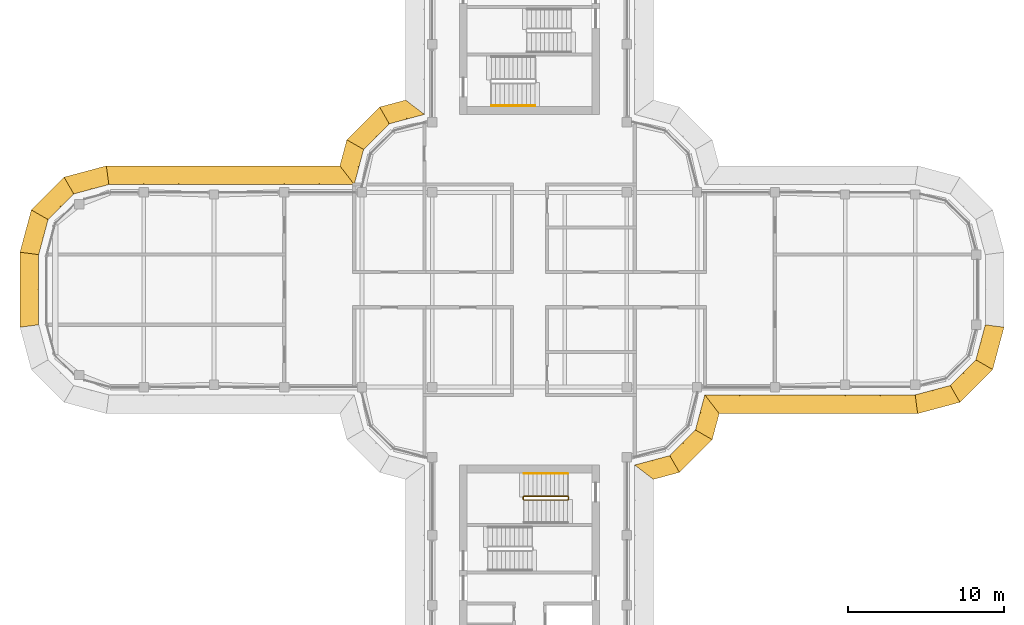
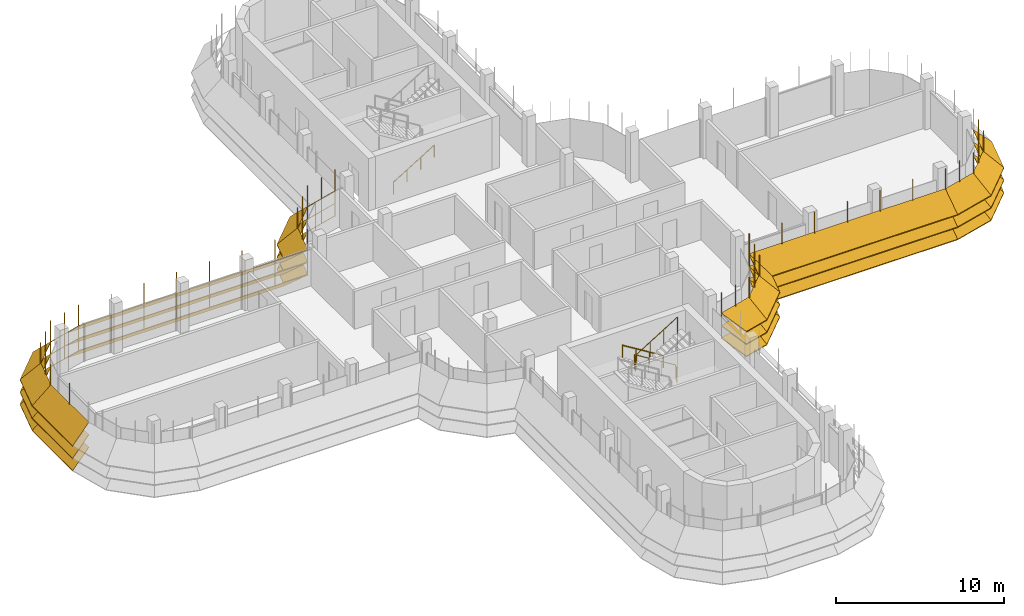
# One storey, part 17 of 19: 7 shading devices, 3 railings.
"""IFC4 building model written with IfcOpenShell, lengths in metres."""

from ifc_helpers import new_model, si_unit, direction, frame, origin, origin_2d, place, context, subcontext, project, spatial, polyline, circle, outline, extrude, faceted_brep, source, transform, mapped, material, type_object, element, save


model = new_model("IFC4")

# Units and contexts
model_context = context("Model", 3, precision=1e-05, world=origin(), true_north=direction((0.0, 1.0)))
body_context = subcontext(model_context, "Body", "Model", "MODEL_VIEW")
ifc_project = project(units=[si_unit("LENGTHUNIT", "METRE"), si_unit("AREAUNIT", "SQUARE_METRE"), si_unit("VOLUMEUNIT", "CUBIC_METRE"), si_unit("PLANEANGLEUNIT", "RADIAN"), si_unit("MASSUNIT", "GRAM", prefix="KILO")], contexts=[model_context])

# Site, building, storey
site_placement = place(None, origin())
site = spatial("IfcSite", under=ifc_project, at=site_placement, CompositionType="ELEMENT")
building_placement = place(site_placement, origin())
building = spatial("IfcBuilding", under=site, at=building_placement, Name="Zarbagh Exchange Tower", CompositionType="ELEMENT")
storey_placement = place(building_placement, frame((0.0, 0.0, 268.800048828125)))
storey = spatial("IfcBuildingStorey", under=building, at=storey_placement, Name="L66", CompositionType="ELEMENT", Elevation=268.800048828125)

# Railings
ifc_material_1 = material(Name="Stainless steel", Category="steel")
railing_type_1 = type_object("IfcRailingType", Name="Stair guard 1100 mm", PredefinedType="GUARDRAIL", material=ifc_material_1)
railing_1_placement = place(storey_placement, frame((-0.35009765625, -13.5, 2.07275390625)))
element("IfcRailing", 1, at=railing_1_placement, inside=storey, type_object=railing_type_1, Name="ST4 stair guard 1", PredefinedType="GUARDRAIL", context=body_context, shape_type="SweptSolid", body=[
    extrude(circle(Radius=0.02392578125, at=origin_2d()), frame((0.0, 0.0, 1.076171875), z_axis=(0.851089632645, 0.0, 0.525020415988), x_axis=(0.0, 1.0, 0.0)), (0.0, 0.0, 1.0), 3.2900390625),
    extrude(circle(Radius=0.02392578125, at=origin_2d()), frame((2.800048828125, 0.0, 2.80322265625), z_axis=(0.013168290981, 0.013168290981, -0.999826581076), x_axis=(-0.707106781187, 0.707106781187, 0.0)), (0.0, 0.0, 1.0), 3.80078125),
    extrude(circle(Radius=0.02392578125, at=origin_2d()), frame((2.85009765625, 0.050048828125, -0.99658203125), z_axis=(0.0, 1.0, 0.0), x_axis=(-1.0, 0.0, 0.0)), (0.0, 0.0, 1.0), 0.14990234375),
    extrude(circle(Radius=0.02392578125, at=origin_2d()), frame((2.85009765625, 0.199951171875, -0.99658203125), z_axis=(-0.268277960024, 0.268277960024, 0.925231793839), x_axis=(-0.707106781187, -0.707106781187, 0.0)), (0.0, 0.0, 1.0), 0.1865234375),
    extrude(circle(Radius=0.02392578125, at=origin_2d()), frame((2.800048828125, 0.25, -0.82421875), z_axis=(-0.851089632645, 0.0, 0.525020415988), x_axis=(0.0, -1.0, 0.0)), (0.0, 0.0, 1.0), 3.2900390625),
    extrude(circle(Radius=0.02392578125, at=origin_2d()), frame((0.0, 0.25, 0.9033203125), z_axis=(-0.705375805398, -0.708833529934, 0.0), x_axis=(0.708833529934, -0.705375805398, 0.0)), (0.0, 0.0, 1.0), 0.070556640625),
    extrude(circle(Radius=0.02392578125, at=origin_2d()), frame((-0.0498046875, 0.199951171875, 0.9033203125), z_axis=(0.0, -1.0, 0.0), x_axis=(1.0, 0.0, 0.0)), (0.0, 0.0, 1.0), 0.14990234375),
    extrude(circle(Radius=0.02099609375, at=origin_2d()), origin(), (0.0, 0.0, 1.0), 1.052001953125),
    extrude(circle(Radius=0.02099609375, at=origin_2d()), frame((0.933349609375, 0.0, 0.57568359375)), (0.0, 0.0, 1.0), 1.052001953125),
    extrude(circle(Radius=0.02099609375, at=origin_2d()), frame((1.86669921875, 0.0, 1.151611328125)), (0.0, 0.0, 1.0), 1.052001953125),
    extrude(circle(Radius=0.02099609375, at=origin_2d()), frame((2.800048828125, 0.0, 1.727294921875)), (0.0, 0.0, 1.0), 1.052001953125),
    extrude(circle(Radius=0.02099609375, at=origin_2d()), frame((2.8125, 0.012451171875, 0.77734375)), (0.0, 0.0, 1.0), 1.052001953125),
    extrude(circle(Radius=0.02099609375, at=origin_2d()), frame((2.8251953125, 0.02490234375, -0.1728515625)), (0.0, 0.0, 1.0), 1.052001953125),
    extrude(circle(Radius=0.02099609375, at=origin_2d()), frame((2.837646484375, 0.03759765625, -1.122802734375)), (0.0, 0.0, 1.0), 1.052001953125),
    extrude(circle(Radius=0.02099609375, at=origin_2d()), frame((2.85009765625, 0.050048828125, -2.07275390625)), (0.0, 0.0, 1.0), 1.052001953125),
    extrude(circle(Radius=0.02099609375, at=origin_2d()), frame((2.85009765625, 0.199951171875, -2.07275390625)), (0.0, 0.0, 1.0), 1.052001953125),
    extrude(circle(Radius=0.02099609375, at=origin_2d()), frame((2.800048828125, 0.25, -1.900146484375)), (0.0, 0.0, 1.0), 1.052001953125),
    extrude(circle(Radius=0.02099609375, at=origin_2d()), frame((1.86669921875, 0.25, -1.324462890625)), (0.0, 0.0, 1.0), 1.052001953125),
    extrude(circle(Radius=0.02099609375, at=origin_2d()), frame((0.933349609375, 0.25, -0.74853515625)), (0.0, 0.0, 1.0), 1.052001953125),
    extrude(circle(Radius=0.02099609375, at=origin_2d()), frame((0.0, 0.25, -0.1728515625)), (0.0, 0.0, 1.0), 1.052001953125),
    extrude(circle(Radius=0.02099609375, at=origin_2d()), frame((-0.0498046875, 0.199951171875, -0.1728515625)), (0.0, 0.0, 1.0), 1.052001953125),
    extrude(circle(Radius=0.02099609375, at=origin_2d()), frame((-0.0498046875, 0.050048828125, -0.1728515625)), (0.0, 0.0, 1.0), 1.052001953125),
])
railing_type_2 = type_object("IfcRailingType", Name="Stair handrail 900 mm", PredefinedType="HANDRAIL", material=ifc_material_1)
railing_2_placement = place(storey_placement, frame((-2.449951171875, 11.800048828125, 0.172607421875)))
element("IfcRailing", 2, at=railing_2_placement, inside=storey, type_object=railing_type_2, Name="ST2 stair handrail 1", PredefinedType="HANDRAIL", context=body_context, shape_type="SweptSolid", body=[
    extrude(circle(Radius=0.02392578125, at=origin_2d()), frame((0.0, 0.0, 0.8759765625), z_axis=(0.851089632645, 0.0, 0.525020415988), x_axis=(0.0, 1.0, 0.0)), (0.0, 0.0, 1.0), 3.2900390625),
    extrude(circle(Radius=0.02099609375, at=origin_2d()), origin(), (0.0, 0.0, 1.0), 0.851806640625),
    extrude(circle(Radius=0.02099609375, at=origin_2d()), frame((0.933349609375, 0.0, 0.57568359375)), (0.0, 0.0, 1.0), 0.851806640625),
    extrude(circle(Radius=0.02099609375, at=origin_2d()), frame((1.86669921875, 0.0, 1.151611328125)), (0.0, 0.0, 1.0), 0.851806640625),
    extrude(circle(Radius=0.02099609375, at=origin_2d()), frame((2.800048828125, 0.0, 1.727294921875)), (0.0, 0.0, 1.0), 0.851806640625),
])
railing_3_placement = place(storey_placement, frame((2.449951171875, -11.800048828125, 0.172607421875)))
element("IfcRailing", 3, at=railing_3_placement, inside=storey, type_object=railing_type_2, Name="ST4 stair handrail 1", PredefinedType="HANDRAIL", context=body_context, shape_type="SweptSolid", body=[
    extrude(circle(Radius=0.02392578125, at=origin_2d()), frame((0.0, 0.0, 0.8759765625), z_axis=(-0.851089632645, 0.0, 0.525020415988), x_axis=(0.0, -1.0, 0.0)), (0.0, 0.0, 1.0), 3.2900390625),
    extrude(circle(Radius=0.02099609375, at=origin_2d()), origin(), (0.0, 0.0, 1.0), 0.851806640625),
    extrude(circle(Radius=0.02099609375, at=origin_2d()), frame((-0.933349609375, 0.0, 0.57568359375)), (0.0, 0.0, 1.0), 0.851806640625),
    extrude(circle(Radius=0.02099609375, at=origin_2d()), frame((-1.86669921875, 0.0, 1.151611328125)), (0.0, 0.0, 1.0), 0.851806640625),
    extrude(circle(Radius=0.02099609375, at=origin_2d()), frame((-2.800048828125, 0.0, 1.727294921875)), (0.0, 0.0, 1.0), 0.851806640625),
])

# Shading devices
ifc_material_2 = material(Name="Anodised aluminium blades and brackets", Category="aluminium")
shading_device_type = type_object("IfcShadingDeviceType", Name="SUNSHADE louvre band, 45 degree blades", PredefinedType="JALOUSIE", material=ifc_material_2)
shared_shape_1 = source(origin(), body_context, "Body", "Brep", [
    faceted_brep([(0.0, 0.0, 0.0), (0.0, 0.0, -0.056640625), (-0.157958984375, -1.199951171875, -1.256591796875), (-0.157958984375, -1.199951171875, -1.199951171875), (2.65087890625, -1.199951171875, -1.199951171875), (2.65087890625, -1.199951171875, -1.256591796875), (2.329345703125, 0.0, -0.056640625), (2.329345703125, 0.0, 0.0)], [[[0, 1, 2, 3]], [[4, 5, 6, 7]], [[0, 7, 6, 1]], [[1, 6, 5, 2]], [[2, 5, 4, 3]], [[3, 4, 7, 0]]]),
])
shared_shape_2 = source(origin(), body_context, "Body", "Brep", [
    faceted_brep([(0.0, 0.0, 0.0), (0.0, 0.0, -0.056640625), (-0.321533203125, -1.199951171875, -1.256591796875), (-0.321533203125, -1.199951171875, -1.199951171875), (2.65087890625, -1.199951171875, -1.199951171875), (2.65087890625, -1.199951171875, -1.256591796875), (2.329345703125, 0.0, -0.056640625), (2.329345703125, 0.0, 0.0)], [[[0, 1, 2, 3]], [[4, 5, 6, 7]], [[0, 7, 6, 1]], [[1, 6, 5, 2]], [[2, 5, 4, 3]], [[3, 4, 7, 0]]]),
])
shared_shape_3 = source(origin(), body_context, "Body", "Brep", [
    faceted_brep([(0.0, 0.0, 0.0), (0.0, 0.0, -0.056640625), (-0.321533203125, -1.199951171875, -1.256591796875), (-0.321533203125, -1.199951171875, -1.199951171875), (2.4873046875, -1.199951171875, -1.199951171875), (2.4873046875, -1.199951171875, -1.256591796875), (2.329345703125, 0.0, -0.056640625), (2.329345703125, 0.0, 0.0)], [[[0, 1, 2, 3]], [[4, 5, 6, 7]], [[0, 7, 6, 1]], [[1, 6, 5, 2]], [[2, 5, 4, 3]], [[3, 4, 7, 0]]]),
])
shared_shape_4 = source(origin(), body_context, "Body", "SweptSolid", [
    extrude(outline(polyline([(0.0, -0.012451171875), (0.06005859375, -0.012451171875), (0.06005859375, 0.012451171875), (0.0, 0.012451171875), (0.0, -0.012451171875)])), origin(), (0.0, 0.0, 1.0), 3.366455078125),
])
placement = place(storey_placement, origin())
element("IfcShadingDevice", 4, at=placement, inside=storey, type_object=shading_device_type, Name="SS51 sunshade band", PredefinedType="JALOUSIE", context=body_context, shape_type="MappedRepresentation", body=[
    mapped(shared_shape_1, transform((24.75, -6.75, 2.300048828125), x_axis=(0.965924289636, 0.258824779902, 0.0), y_axis=(-0.258824779902, 0.965924289636, 0.0), z_axis=(0.0, 0.0, 1.0))),
    mapped(shared_shape_1, transform((24.75, -6.75, 1.39990234375), x_axis=(0.965924289636, 0.258824779902, 0.0), y_axis=(-0.258824779902, 0.965924289636, 0.0), z_axis=(0.0, 0.0, 1.0))),
    mapped(shared_shape_1, transform((24.75, -6.75, 0.5), x_axis=(0.965924289636, 0.258824779902, 0.0), y_axis=(-0.258824779902, 0.965924289636, 0.0), z_axis=(0.0, 0.0, 1.0))),
    mapped(shared_shape_2, transform((27.0, -6.147216796875, 2.300048828125), x_axis=(0.707106781187, 0.707106781187, 0.0), y_axis=(-0.707106781187, 0.707106781187, 0.0), z_axis=(0.0, 0.0, 1.0))),
    mapped(shared_shape_2, transform((27.0, -6.147216796875, 1.39990234375), x_axis=(0.707106781187, 0.707106781187, 0.0), y_axis=(-0.707106781187, 0.707106781187, 0.0), z_axis=(0.0, 0.0, 1.0))),
    mapped(shared_shape_2, transform((27.0, -6.147216796875, 0.5), x_axis=(0.707106781187, 0.707106781187, 0.0), y_axis=(-0.707106781187, 0.707106781187, 0.0), z_axis=(0.0, 0.0, 1.0))),
    mapped(shared_shape_3, transform((28.647216796875, -4.5, 2.300048828125), x_axis=(0.258824779902, 0.965924289636, 0.0), y_axis=(-0.965924289636, 0.258824779902, 0.0), z_axis=(0.0, 0.0, 1.0))),
    mapped(shared_shape_3, transform((28.647216796875, -4.5, 1.39990234375), x_axis=(0.258824779902, 0.965924289636, 0.0), y_axis=(-0.965924289636, 0.258824779902, 0.0), z_axis=(0.0, 0.0, 1.0))),
    mapped(shared_shape_3, transform((28.647216796875, -4.5, 0.5), x_axis=(0.258824779902, 0.965924289636, 0.0), y_axis=(-0.965924289636, 0.258824779902, 0.0), z_axis=(0.0, 0.0, 1.0))),
    mapped(shared_shape_4, transform((24.75, -6.75, 0.413330078125), x_axis=(0.130529263012, -0.991444457092, 0.0), y_axis=(0.991444457092, 0.130529263012, 0.0), z_axis=(0.0, 0.0, 1.0))),
    mapped(shared_shape_4, transform((25.875, -6.448486328125, 0.413330078125), x_axis=(0.258825058029, -0.96592421511, 0.0), y_axis=(0.96592421511, 0.258825058029, 0.0), z_axis=(0.0, 0.0, 1.0))),
    mapped(shared_shape_4, transform((27.0, -6.147216796875, 0.413330078125), x_axis=(0.50000275701, -0.866023812018, 0.0), y_axis=(0.866023812018, 0.50000275701, 0.0), z_axis=(0.0, 0.0, 1.0))),
    mapped(shared_shape_4, transform((27.823486328125, -5.323486328125, 0.413330078125), x_axis=(0.707106781187, -0.707106781187, 0.0), y_axis=(0.707106781187, 0.707106781187, 0.0), z_axis=(0.0, 0.0, 1.0))),
    mapped(shared_shape_4, transform((28.647216796875, -4.5, 0.413330078125), x_axis=(0.866023812018, -0.50000275701, 0.0), y_axis=(0.50000275701, 0.866023812018, 0.0), z_axis=(0.0, 0.0, 1.0))),
    mapped(shared_shape_4, transform((28.948486328125, -3.375, 0.413330078125), x_axis=(0.96592421511, -0.258825058029, 0.0), y_axis=(0.258825058029, 0.96592421511, 0.0), z_axis=(0.0, 0.0, 1.0))),
])
element("IfcShadingDevice", 5, at=placement, inside=storey, type_object=shading_device_type, Name="SS41 sunshade band", PredefinedType="JALOUSIE", context=body_context, shape_type="MappedRepresentation", body=[
    mapped(shared_shape_1, transform((-27.0, 6.75, 2.300048828125), x_axis=(-0.965924289636, -0.258824779902, 0.0), y_axis=(0.258824779902, -0.965924289636, 0.0), z_axis=(0.0, 0.0, 1.0))),
    mapped(shared_shape_1, transform((-27.0, 6.75, 1.39990234375), x_axis=(-0.965924289636, -0.258824779902, 0.0), y_axis=(0.258824779902, -0.965924289636, 0.0), z_axis=(0.0, 0.0, 1.0))),
    mapped(shared_shape_1, transform((-27.0, 6.75, 0.5), x_axis=(-0.965924289636, -0.258824779902, 0.0), y_axis=(0.258824779902, -0.965924289636, 0.0), z_axis=(0.0, 0.0, 1.0))),
    mapped(shared_shape_2, transform((-29.25, 6.147216796875, 2.300048828125), x_axis=(-0.707106781187, -0.707106781187, 0.0), y_axis=(0.707106781187, -0.707106781187, 0.0), z_axis=(0.0, 0.0, 1.0))),
    mapped(shared_shape_2, transform((-29.25, 6.147216796875, 1.39990234375), x_axis=(-0.707106781187, -0.707106781187, 0.0), y_axis=(0.707106781187, -0.707106781187, 0.0), z_axis=(0.0, 0.0, 1.0))),
    mapped(shared_shape_2, transform((-29.25, 6.147216796875, 0.5), x_axis=(-0.707106781187, -0.707106781187, 0.0), y_axis=(0.707106781187, -0.707106781187, 0.0), z_axis=(0.0, 0.0, 1.0))),
    mapped(shared_shape_3, transform((-30.897216796875, 4.5, 2.300048828125), x_axis=(-0.258824779902, -0.965924289636, 0.0), y_axis=(0.965924289636, -0.258824779902, 0.0), z_axis=(0.0, 0.0, 1.0))),
    mapped(shared_shape_3, transform((-30.897216796875, 4.5, 1.39990234375), x_axis=(-0.258824779902, -0.965924289636, 0.0), y_axis=(0.965924289636, -0.258824779902, 0.0), z_axis=(0.0, 0.0, 1.0))),
    mapped(shared_shape_3, transform((-30.897216796875, 4.5, 0.5), x_axis=(-0.258824779902, -0.965924289636, 0.0), y_axis=(0.965924289636, -0.258824779902, 0.0), z_axis=(0.0, 0.0, 1.0))),
    mapped(shared_shape_4, transform((-27.0, 6.75, 0.413330078125), x_axis=(-0.130529263012, 0.991444457092, 0.0), y_axis=(-0.991444457092, -0.130529263012, 0.0), z_axis=(0.0, 0.0, 1.0))),
    mapped(shared_shape_4, transform((-28.125, 6.448486328125, 0.413330078125), x_axis=(-0.258825058029, 0.96592421511, 0.0), y_axis=(-0.96592421511, -0.258825058029, 0.0), z_axis=(0.0, 0.0, 1.0))),
    mapped(shared_shape_4, transform((-29.25, 6.147216796875, 0.413330078125), x_axis=(-0.50000275701, 0.866023812018, 0.0), y_axis=(-0.866023812018, -0.50000275701, 0.0), z_axis=(0.0, 0.0, 1.0))),
    mapped(shared_shape_4, transform((-30.073486328125, 5.323486328125, 0.413330078125), x_axis=(-0.707106781187, 0.707106781187, 0.0), y_axis=(-0.707106781187, -0.707106781187, 0.0), z_axis=(0.0, 0.0, 1.0))),
    mapped(shared_shape_4, transform((-30.897216796875, 4.5, 0.413330078125), x_axis=(-0.866023812018, 0.50000275701, 0.0), y_axis=(-0.50000275701, -0.866023812018, 0.0), z_axis=(0.0, 0.0, 1.0))),
    mapped(shared_shape_4, transform((-31.198486328125, 3.375, 0.413330078125), x_axis=(-0.96592421511, 0.258825058029, 0.0), y_axis=(-0.258825058029, -0.96592421511, 0.0), z_axis=(0.0, 0.0, 1.0))),
])
shared_shape_5 = source(origin(), body_context, "Body", "Brep", [
    faceted_brep([(0.0, 0.0, 0.0), (0.0, 0.0, -0.056640625), (0.9208984375, -1.199951171875, -1.256591796875), (0.9208984375, -1.199951171875, -1.199951171875), (2.65087890625, -1.199951171875, -1.199951171875), (2.65087890625, -1.199951171875, -1.256591796875), (2.329345703125, 0.0, -0.056640625), (2.329345703125, 0.0, 0.0)], [[[0, 1, 2, 3]], [[4, 5, 6, 7]], [[0, 7, 6, 1]], [[1, 6, 5, 2]], [[2, 5, 4, 3]], [[3, 4, 7, 0]]]),
])
shared_shape_6 = source(origin(), body_context, "Body", "Brep", [
    faceted_brep([(0.0, 0.0, 0.0), (0.0, 0.0, -0.056640625), (-0.321533203125, -1.199951171875, -1.256591796875), (-0.321533203125, -1.199951171875, -1.199951171875), (1.40869140625, -1.199951171875, -1.199951171875), (1.40869140625, -1.199951171875, -1.256591796875), (2.329345703125, 0.0, -0.056640625), (2.329345703125, 0.0, 0.0)], [[[0, 1, 2, 3]], [[4, 5, 6, 7]], [[0, 7, 6, 1]], [[1, 6, 5, 2]], [[2, 5, 4, 3]], [[3, 4, 7, 0]]]),
])
element("IfcShadingDevice", 6, at=placement, inside=storey, type_object=shading_device_type, Name="SS03 sunshade band", PredefinedType="JALOUSIE", context=body_context, shape_type="MappedRepresentation", body=[
    mapped(shared_shape_5, transform((6.75, -11.25, 2.300048828125), x_axis=(0.965924289636, 0.258824779902, 0.0), y_axis=(-0.258824779902, 0.965924289636, 0.0), z_axis=(0.0, 0.0, 1.0))),
    mapped(shared_shape_5, transform((6.75, -11.25, 1.39990234375), x_axis=(0.965924289636, 0.258824779902, 0.0), y_axis=(-0.258824779902, 0.965924289636, 0.0), z_axis=(0.0, 0.0, 1.0))),
    mapped(shared_shape_5, transform((6.75, -11.25, 0.5), x_axis=(0.965924289636, 0.258824779902, 0.0), y_axis=(-0.258824779902, 0.965924289636, 0.0), z_axis=(0.0, 0.0, 1.0))),
    mapped(shared_shape_2, transform((9.0, -10.647216796875, 2.300048828125), x_axis=(0.707106781187, 0.707106781187, 0.0), y_axis=(-0.707106781187, 0.707106781187, 0.0), z_axis=(0.0, 0.0, 1.0))),
    mapped(shared_shape_2, transform((9.0, -10.647216796875, 1.39990234375), x_axis=(0.707106781187, 0.707106781187, 0.0), y_axis=(-0.707106781187, 0.707106781187, 0.0), z_axis=(0.0, 0.0, 1.0))),
    mapped(shared_shape_2, transform((9.0, -10.647216796875, 0.5), x_axis=(0.707106781187, 0.707106781187, 0.0), y_axis=(-0.707106781187, 0.707106781187, 0.0), z_axis=(0.0, 0.0, 1.0))),
    mapped(shared_shape_6, transform((10.647216796875, -9.0, 2.300048828125), x_axis=(0.258824779902, 0.965924289636, 0.0), y_axis=(-0.965924289636, 0.258824779902, 0.0), z_axis=(0.0, 0.0, 1.0))),
    mapped(shared_shape_6, transform((10.647216796875, -9.0, 1.39990234375), x_axis=(0.258824779902, 0.965924289636, 0.0), y_axis=(-0.965924289636, 0.258824779902, 0.0), z_axis=(0.0, 0.0, 1.0))),
    mapped(shared_shape_6, transform((10.647216796875, -9.0, 0.5), x_axis=(0.258824779902, 0.965924289636, 0.0), y_axis=(-0.965924289636, 0.258824779902, 0.0), z_axis=(0.0, 0.0, 1.0))),
    mapped(shared_shape_4, transform((6.75, -11.25, 0.413330078125), x_axis=(0.793355287, -0.608758892, 0.0), y_axis=(0.608758892, 0.793355287, 0.0), z_axis=(0.0, 0.0, 1.0))),
    mapped(shared_shape_4, transform((7.875, -10.948486328125, 0.413330078125), x_axis=(0.258825058029, -0.96592421511, 0.0), y_axis=(0.96592421511, 0.258825058029, 0.0), z_axis=(0.0, 0.0, 1.0))),
    mapped(shared_shape_4, transform((9.0, -10.647216796875, 0.413330078125), x_axis=(0.50000275701, -0.866023812018, 0.0), y_axis=(0.866023812018, 0.50000275701, 0.0), z_axis=(0.0, 0.0, 1.0))),
    mapped(shared_shape_4, transform((9.823486328125, -9.823486328125, 0.413330078125), x_axis=(0.707106781187, -0.707106781187, 0.0), y_axis=(0.707106781187, 0.707106781187, 0.0), z_axis=(0.0, 0.0, 1.0))),
    mapped(shared_shape_4, transform((10.647216796875, -9.0, 0.413330078125), x_axis=(0.866023812018, -0.50000275701, 0.0), y_axis=(0.50000275701, 0.866023812018, 0.0), z_axis=(0.0, 0.0, 1.0))),
    mapped(shared_shape_4, transform((10.948486328125, -7.875, 0.413330078125), x_axis=(0.96592421511, -0.258825058029, 0.0), y_axis=(0.258825058029, 0.96592421511, 0.0), z_axis=(0.0, 0.0, 1.0))),
])
element("IfcShadingDevice", 7, at=placement, inside=storey, type_object=shading_device_type, Name="SS15 sunshade band", PredefinedType="JALOUSIE", context=body_context, shape_type="MappedRepresentation", body=[
    mapped(shared_shape_5, transform((-6.75, 11.25, 2.300048828125), x_axis=(-0.965924289636, -0.258824779902, 0.0), y_axis=(0.258824779902, -0.965924289636, 0.0), z_axis=(0.0, 0.0, 1.0))),
    mapped(shared_shape_5, transform((-6.75, 11.25, 1.39990234375), x_axis=(-0.965924289636, -0.258824779902, 0.0), y_axis=(0.258824779902, -0.965924289636, 0.0), z_axis=(0.0, 0.0, 1.0))),
    mapped(shared_shape_5, transform((-6.75, 11.25, 0.5), x_axis=(-0.965924289636, -0.258824779902, 0.0), y_axis=(0.258824779902, -0.965924289636, 0.0), z_axis=(0.0, 0.0, 1.0))),
    mapped(shared_shape_2, transform((-9.0, 10.647216796875, 2.300048828125), x_axis=(-0.707106781187, -0.707106781187, 0.0), y_axis=(0.707106781187, -0.707106781187, 0.0), z_axis=(0.0, 0.0, 1.0))),
    mapped(shared_shape_2, transform((-9.0, 10.647216796875, 1.39990234375), x_axis=(-0.707106781187, -0.707106781187, 0.0), y_axis=(0.707106781187, -0.707106781187, 0.0), z_axis=(0.0, 0.0, 1.0))),
    mapped(shared_shape_2, transform((-9.0, 10.647216796875, 0.5), x_axis=(-0.707106781187, -0.707106781187, 0.0), y_axis=(0.707106781187, -0.707106781187, 0.0), z_axis=(0.0, 0.0, 1.0))),
    mapped(shared_shape_6, transform((-10.647216796875, 9.0, 2.300048828125), x_axis=(-0.258824779902, -0.965924289636, 0.0), y_axis=(0.965924289636, -0.258824779902, 0.0), z_axis=(0.0, 0.0, 1.0))),
    mapped(shared_shape_6, transform((-10.647216796875, 9.0, 1.39990234375), x_axis=(-0.258824779902, -0.965924289636, 0.0), y_axis=(0.965924289636, -0.258824779902, 0.0), z_axis=(0.0, 0.0, 1.0))),
    mapped(shared_shape_6, transform((-10.647216796875, 9.0, 0.5), x_axis=(-0.258824779902, -0.965924289636, 0.0), y_axis=(0.965924289636, -0.258824779902, 0.0), z_axis=(0.0, 0.0, 1.0))),
    mapped(shared_shape_4, transform((-6.75, 11.25, 0.413330078125), x_axis=(-0.793355287, 0.608758892, 0.0), y_axis=(-0.608758892, -0.793355287, 0.0), z_axis=(0.0, 0.0, 1.0))),
    mapped(shared_shape_4, transform((-7.875, 10.948486328125, 0.413330078125), x_axis=(-0.258825058029, 0.96592421511, 0.0), y_axis=(-0.96592421511, -0.258825058029, 0.0), z_axis=(0.0, 0.0, 1.0))),
    mapped(shared_shape_4, transform((-9.0, 10.647216796875, 0.413330078125), x_axis=(-0.50000275701, 0.866023812018, 0.0), y_axis=(-0.866023812018, -0.50000275701, 0.0), z_axis=(0.0, 0.0, 1.0))),
    mapped(shared_shape_4, transform((-9.823486328125, 9.823486328125, 0.413330078125), x_axis=(-0.707106781187, 0.707106781187, 0.0), y_axis=(-0.707106781187, -0.707106781187, 0.0), z_axis=(0.0, 0.0, 1.0))),
    mapped(shared_shape_4, transform((-10.647216796875, 9.0, 0.413330078125), x_axis=(-0.866023812018, 0.50000275701, 0.0), y_axis=(-0.50000275701, -0.866023812018, 0.0), z_axis=(0.0, 0.0, 1.0))),
    mapped(shared_shape_4, transform((-10.948486328125, 7.875, 0.413330078125), x_axis=(-0.96592421511, 0.258825058029, 0.0), y_axis=(-0.258825058029, -0.96592421511, 0.0), z_axis=(0.0, 0.0, 1.0))),
])
shared_shape_7 = source(origin(), body_context, "Body", "Brep", [
    faceted_brep([(0.0, 0.0, 0.0), (0.0, 0.0, -0.056640625), (0.9208984375, -1.199951171875, -1.256591796875), (0.9208984375, -1.199951171875, -1.199951171875), (13.657958984375, -1.199951171875, -1.199951171875), (13.657958984375, -1.199951171875, -1.256591796875), (13.5, 0.0, -0.056640625), (13.5, 0.0, 0.0)], [[[0, 1, 2, 3]], [[4, 5, 6, 7]], [[0, 7, 6, 1]], [[1, 6, 5, 2]], [[2, 5, 4, 3]], [[3, 4, 7, 0]]]),
])
element("IfcShadingDevice", 8, at=placement, inside=storey, type_object=shading_device_type, Name="SS50 sunshade band", PredefinedType="JALOUSIE", context=body_context, shape_type="MappedRepresentation", body=[
    mapped(shared_shape_7, transform((11.25, -6.75, 2.300048828125), x_axis=(1.0, 0.0, 0.0), y_axis=(0.0, 1.0, 0.0), z_axis=(0.0, 0.0, 1.0))),
    mapped(shared_shape_7, transform((11.25, -6.75, 1.39990234375), x_axis=(1.0, 0.0, 0.0), y_axis=(0.0, 1.0, 0.0), z_axis=(0.0, 0.0, 1.0))),
    mapped(shared_shape_7, transform((11.25, -6.75, 0.5), x_axis=(1.0, 0.0, 0.0), y_axis=(0.0, 1.0, 0.0), z_axis=(0.0, 0.0, 1.0))),
    mapped(shared_shape_4, transform((11.25, -6.75, 0.413330078125), x_axis=(0.608758892, -0.793355287, 0.0), y_axis=(0.793355287, 0.608758892, 0.0), z_axis=(0.0, 0.0, 1.0))),
    mapped(shared_shape_4, transform((13.5, -6.75, 0.413330078125), x_axis=(0.0, -1.0, 0.0), y_axis=(1.0, 0.0, 0.0), z_axis=(0.0, 0.0, 1.0))),
    mapped(shared_shape_4, transform((15.75, -6.75, 0.413330078125), x_axis=(0.0, -1.0, 0.0), y_axis=(1.0, 0.0, 0.0), z_axis=(0.0, 0.0, 1.0))),
    mapped(shared_shape_4, transform((18.0, -6.75, 0.413330078125), x_axis=(0.0, -1.0, 0.0), y_axis=(1.0, 0.0, 0.0), z_axis=(0.0, 0.0, 1.0))),
    mapped(shared_shape_4, transform((20.25, -6.75, 0.413330078125), x_axis=(0.0, -1.0, 0.0), y_axis=(1.0, 0.0, 0.0), z_axis=(0.0, 0.0, 1.0))),
    mapped(shared_shape_4, transform((22.5, -6.75, 0.413330078125), x_axis=(0.0, -1.0, 0.0), y_axis=(1.0, 0.0, 0.0), z_axis=(0.0, 0.0, 1.0))),
])
shared_shape_8 = source(origin(), body_context, "Body", "Brep", [
    faceted_brep([(0.0, 0.0, 0.0), (0.0, 0.0, -0.056640625), (0.9208984375, -1.199951171875, -1.256591796875), (0.9208984375, -1.199951171875, -1.199951171875), (15.907958984375, -1.199951171875, -1.199951171875), (15.907958984375, -1.199951171875, -1.256591796875), (15.75, 0.0, -0.056640625), (15.75, 0.0, 0.0)], [[[0, 1, 2, 3]], [[4, 5, 6, 7]], [[0, 7, 6, 1]], [[1, 6, 5, 2]], [[2, 5, 4, 3]], [[3, 4, 7, 0]]]),
])
element("IfcShadingDevice", 9, at=placement, inside=storey, type_object=shading_device_type, Name="SS40 sunshade band", PredefinedType="JALOUSIE", context=body_context, shape_type="MappedRepresentation", body=[
    mapped(shared_shape_8, transform((-11.25, 6.75, 2.300048828125), x_axis=(-1.0, 0.0, 0.0), y_axis=(0.0, -1.0, 0.0), z_axis=(0.0, 0.0, 1.0))),
    mapped(shared_shape_8, transform((-11.25, 6.75, 1.39990234375), x_axis=(-1.0, 0.0, 0.0), y_axis=(0.0, -1.0, 0.0), z_axis=(0.0, 0.0, 1.0))),
    mapped(shared_shape_8, transform((-11.25, 6.75, 0.5), x_axis=(-1.0, 0.0, 0.0), y_axis=(0.0, -1.0, 0.0), z_axis=(0.0, 0.0, 1.0))),
    mapped(shared_shape_4, transform((-11.25, 6.75, 0.413330078125), x_axis=(-0.608758892, 0.793355287, 0.0), y_axis=(-0.793355287, -0.608758892, 0.0), z_axis=(0.0, 0.0, 1.0))),
    mapped(shared_shape_4, transform((-13.5, 6.75, 0.413330078125), x_axis=(0.0, 1.0, 0.0), y_axis=(-1.0, 0.0, 0.0), z_axis=(0.0, 0.0, 1.0))),
    mapped(shared_shape_4, transform((-15.75, 6.75, 0.413330078125), x_axis=(0.0, 1.0, 0.0), y_axis=(-1.0, 0.0, 0.0), z_axis=(0.0, 0.0, 1.0))),
    mapped(shared_shape_4, transform((-18.0, 6.75, 0.413330078125), x_axis=(0.0, 1.0, 0.0), y_axis=(-1.0, 0.0, 0.0), z_axis=(0.0, 0.0, 1.0))),
    mapped(shared_shape_4, transform((-20.25, 6.75, 0.413330078125), x_axis=(0.0, 1.0, 0.0), y_axis=(-1.0, 0.0, 0.0), z_axis=(0.0, 0.0, 1.0))),
    mapped(shared_shape_4, transform((-22.5, 6.75, 0.413330078125), x_axis=(0.0, 1.0, 0.0), y_axis=(-1.0, 0.0, 0.0), z_axis=(0.0, 0.0, 1.0))),
    mapped(shared_shape_4, transform((-24.75, 6.75, 0.413330078125), x_axis=(0.0, 1.0, 0.0), y_axis=(-1.0, 0.0, 0.0), z_axis=(0.0, 0.0, 1.0))),
])
shared_shape_9 = source(origin(), body_context, "Body", "Brep", [
    faceted_brep([(0.0, 0.0, 0.0), (0.0, 0.0, -0.056640625), (-0.157958984375, -1.199951171875, -1.256591796875), (-0.157958984375, -1.199951171875, -1.199951171875), (4.657958984375, -1.199951171875, -1.199951171875), (4.657958984375, -1.199951171875, -1.256591796875), (4.5, 0.0, -0.056640625), (4.5, 0.0, 0.0)], [[[0, 1, 2, 3]], [[4, 5, 6, 7]], [[0, 7, 6, 1]], [[1, 6, 5, 2]], [[2, 5, 4, 3]], [[3, 4, 7, 0]]]),
])
element("IfcShadingDevice", 10, at=placement, inside=storey, type_object=shading_device_type, Name="SS42 sunshade band", PredefinedType="JALOUSIE", context=body_context, shape_type="MappedRepresentation", body=[
    mapped(shared_shape_9, transform((-31.5, 2.25, 2.300048828125), x_axis=(0.0, -1.0, 0.0), y_axis=(1.0, 0.0, 0.0), z_axis=(0.0, 0.0, 1.0))),
    mapped(shared_shape_9, transform((-31.5, 2.25, 1.39990234375), x_axis=(0.0, -1.0, 0.0), y_axis=(1.0, 0.0, 0.0), z_axis=(0.0, 0.0, 1.0))),
    mapped(shared_shape_9, transform((-31.5, 2.25, 0.5), x_axis=(0.0, -1.0, 0.0), y_axis=(1.0, 0.0, 0.0), z_axis=(0.0, 0.0, 1.0))),
    mapped(shared_shape_4, transform((-31.5, 2.25, 0.413330078125), x_axis=(-0.991444457092, 0.130529263012, 0.0), y_axis=(-0.130529263012, -0.991444457092, 0.0), z_axis=(0.0, 0.0, 1.0))),
    mapped(shared_shape_4, transform((-31.5, 0.0, 0.413330078125), x_axis=(-1.0, 0.0, 0.0), y_axis=(0.0, -1.0, 0.0), z_axis=(0.0, 0.0, 1.0))),
])

save(model, "model.ifc")
